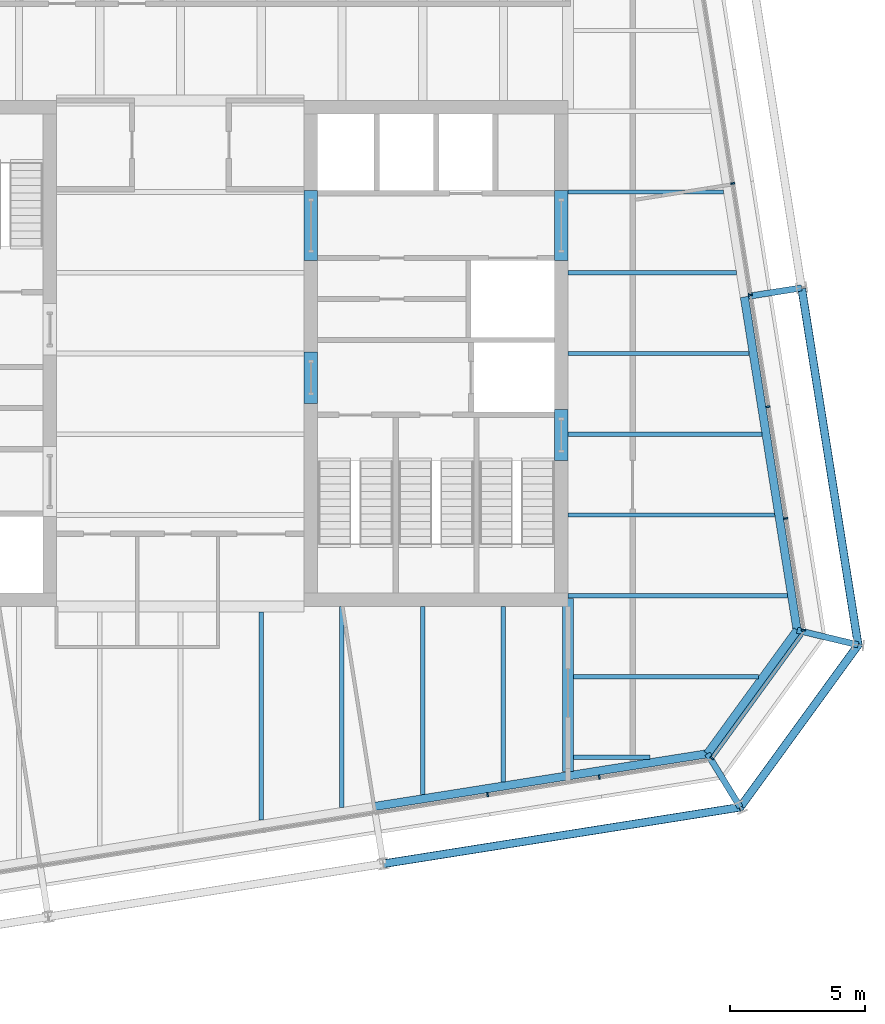
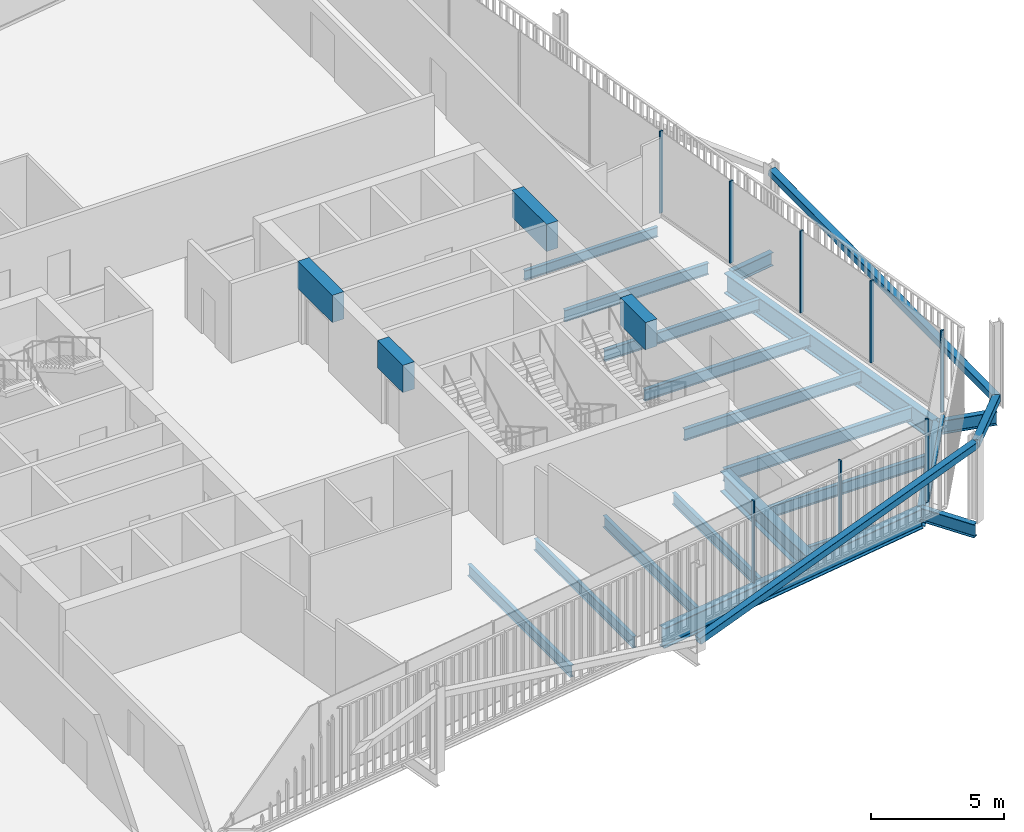
# One storey, part 9 of 21: 23 beams, 12 members, 3 elements without a shape of their own.
"""IFC4 building model written with IfcOpenShell, lengths in metres."""

from ifc_helpers import new_model, si_unit, direction, frame, origin, origin_2d, place, context, subcontext, project, spatial, rectangle, hollow_rectangle, i_section, extrude, material, layer, layer_set, material_profile, profile_set, type_object, element, aggregate, save


model = new_model("IFC4")

# Units and contexts
model_context = context("Model", 3, precision=1e-05, world=origin(), true_north=direction((0.0, 1.0)))
body_context = subcontext(model_context, "Body", "Model", "MODEL_VIEW")
ifc_project = project(units=[si_unit("LENGTHUNIT", "METRE"), si_unit("AREAUNIT", "SQUARE_METRE"), si_unit("VOLUMEUNIT", "CUBIC_METRE"), si_unit("PLANEANGLEUNIT", "RADIAN"), si_unit("MASSUNIT", "GRAM", prefix="KILO")], contexts=[model_context])

# Site, building, storey
site_placement = place(None, origin())
site = spatial("IfcSite", under=ifc_project, at=site_placement, CompositionType="ELEMENT")
building_placement = place(site_placement, origin())
building = spatial("IfcBuilding", under=site, at=building_placement, Name="Millrace Tower", CompositionType="ELEMENT")
storey_placement = place(building_placement, frame((0.0, 0.0, 263.0)))
storey = spatial("IfcBuildingStorey", under=building, at=storey_placement, Name="L60", CompositionType="ELEMENT", Elevation=263.0)

# Curtain wall, members
ifc_material_1 = material(Name="Aluminium and glass", Category="aluminium")
ifc_layer = layer(ifc_material_1, 0.14990234375)
ifc_layer_set = layer_set([ifc_layer], Name="Aluminium and glass")
curtain_wall_type = type_object("IfcCurtainWallType", Name="CW-1 office vision curtain wall", PredefinedType="NOTDEFINED", material=ifc_layer_set)
placement = place(storey_placement, origin())
curtain_wall_1 = element("IfcCurtainWall", 1, at=placement, inside=storey, type_object=curtain_wall_type, Name="Curtain wall D-F02 L60", PredefinedType="NOTDEFINED")
ifc_material_2 = material(Name="Aluminium", Category="aluminium")
ifc_material_profile_1 = material_profile(ifc_material_2, rectangle(XDim=0.06494140625, YDim=0.14990234375, at=origin_2d()))
ifc_profile_set_1 = profile_set([ifc_material_profile_1], Name="Aluminium")
member_type_1 = type_object("IfcMemberType", Name="CW-1 office vision curtain wall mullion", PredefinedType="MULLION", material=ifc_profile_set_1)
member_1_placement = place(storey_placement, frame((11.41259765625, -16.393310546875, 0.139892578125), z_axis=(0.0, 0.0, 1.0), x_axis=(0.987688339511, 0.156434471884, 0.0)))
member_1 = element("IfcMember", 2, at=member_1_placement, type_object=member_type_1, Name="CW1 mullion D-F02.8", PredefinedType="MULLION", context=body_context, shape_type="SweptSolid", body=[
    extrude(rectangle(XDim=0.06494140625, YDim=0.14990234375, at=origin_2d()), origin(), (0.0, 0.0, 1.0), 3.760009765625),
])
member_2_placement = place(storey_placement, frame((15.560791015625, -15.736328125, 0.139892578125), z_axis=(0.0, 0.0, 1.0), x_axis=(0.987688339511, 0.156434471884, 0.0)))
member_2 = element("IfcMember", 3, at=member_2_placement, type_object=member_type_1, Name="CW1 mullion D-F02.9", PredefinedType="MULLION", context=body_context, shape_type="SweptSolid", body=[
    extrude(rectangle(XDim=0.06494140625, YDim=0.14990234375, at=origin_2d()), origin(), (0.0, 0.0, 1.0), 3.760009765625),
])
aggregate(curtain_wall_1, [member_1, member_2])

# Curtain wall, member
curtain_wall_2 = element("IfcCurtainWall", 4, at=placement, inside=storey, type_object=curtain_wall_type, Name="Curtain wall D-F03 L60", PredefinedType="NOTDEFINED")
member_3_placement = place(storey_placement, frame((19.7451171875, -15.028076171875, 0.139892578125), z_axis=(0.0, 0.0, 1.0), x_axis=(0.587785305991, 0.809016955361, 0.0)))
member_3 = element("IfcMember", 5, at=member_3_placement, type_object=member_type_1, Name="CW1 mullion D-F03.1", PredefinedType="MULLION", context=body_context, shape_type="SweptSolid", body=[
    extrude(rectangle(XDim=0.06494140625, YDim=0.14990234375, at=origin_2d()), origin(), (0.0, 0.0, 1.0), 3.760009765625),
])

# Curtain wall, members
curtain_wall_3 = element("IfcCurtainWall", 6, at=placement, inside=storey, type_object=curtain_wall_type, Name="Curtain wall D-F04 L60", PredefinedType="NOTDEFINED")
member_4_placement = place(storey_placement, frame((23.142333984375, -10.275390625, 0.139892578125), z_axis=(0.0, 0.0, 1.0), x_axis=(-0.156434471884, 0.987688339511, 0.0)))
member_4 = element("IfcMember", 7, at=member_4_placement, type_object=member_type_1, Name="CW1 mullion D-F04.1", PredefinedType="MULLION", context=body_context, shape_type="SweptSolid", body=[
    extrude(rectangle(XDim=0.06494140625, YDim=0.14990234375, at=origin_2d()), origin(), (0.0, 0.0, 1.0), 3.760009765625),
])
member_5_placement = place(storey_placement, frame((22.4853515625, -6.127197265625, 0.139892578125), z_axis=(0.0, 0.0, 1.0), x_axis=(-0.156434471884, 0.987688339511, 0.0)))
member_5 = element("IfcMember", 8, at=member_5_placement, type_object=member_type_1, Name="CW1 mullion D-F04.2", PredefinedType="MULLION", context=body_context, shape_type="SweptSolid", body=[
    extrude(rectangle(XDim=0.06494140625, YDim=0.14990234375, at=origin_2d()), origin(), (0.0, 0.0, 1.0), 3.760009765625),
])
member_6_placement = place(storey_placement, frame((21.828369140625, -1.97900390625, 0.139892578125), z_axis=(0.0, 0.0, 1.0), x_axis=(-0.156434471884, 0.987688339511, 0.0)))
member_6 = element("IfcMember", 9, at=member_6_placement, type_object=member_type_1, Name="CW1 mullion D-F04.3", PredefinedType="MULLION", context=body_context, shape_type="SweptSolid", body=[
    extrude(rectangle(XDim=0.06494140625, YDim=0.14990234375, at=origin_2d()), origin(), (0.0, 0.0, 1.0), 3.760009765625),
])
member_7_placement = place(storey_placement, frame((21.17138671875, 2.16943359375, 0.139892578125), z_axis=(0.0, 0.0, 1.0), x_axis=(-0.156434471884, 0.987688339511, 0.0)))
member_7 = element("IfcMember", 10, at=member_7_placement, type_object=member_type_1, Name="CW1 mullion D-F04.4", PredefinedType="MULLION", context=body_context, shape_type="SweptSolid", body=[
    extrude(rectangle(XDim=0.06494140625, YDim=0.14990234375, at=origin_2d()), origin(), (0.0, 0.0, 1.0), 3.760009765625),
])
member_8_placement = place(storey_placement, frame((20.514404296875, 6.317626953125, 0.139892578125), z_axis=(0.0, 0.0, 1.0), x_axis=(-0.156434471884, 0.987688339511, 0.0)))
member_8 = element("IfcMember", 11, at=member_8_placement, type_object=member_type_1, Name="CW1 mullion D-F04.5", PredefinedType="MULLION", context=body_context, shape_type="SweptSolid", body=[
    extrude(rectangle(XDim=0.06494140625, YDim=0.14990234375, at=origin_2d()), origin(), (0.0, 0.0, 1.0), 3.760009765625),
])
aggregate(curtain_wall_3, [member_4, member_5, member_6, member_7, member_8])

# Member
ifc_material_3 = material(Name="Aluminium", Category="aluminium")
ifc_material_profile_2 = material_profile(ifc_material_3, rectangle(XDim=0.14990234375, YDim=0.139892578125, at=origin_2d()))
ifc_profile_set_2 = profile_set([ifc_material_profile_2], Name="Aluminium")
member_type_2 = type_object("IfcMemberType", Name="CW-1 office vision curtain wall transom", PredefinedType="USERDEFINED", material=ifc_profile_set_2)
member_9_placement = place(storey_placement, frame((19.78466796875, -14.973388671875, 0.070068359375), z_axis=(0.587811213399, 0.808998131891, 0.0), x_axis=(-0.808998131891, 0.587811213399, 0.0)))
member_9 = element("IfcMember", 12, at=member_9_placement, type_object=member_type_2, Name="CW1 transom D-F03.1", ObjectType="TRANSOM", PredefinedType="USERDEFINED", context=body_context, shape_type="SweptSolid", body=[
    extrude(rectangle(XDim=0.14990234375, YDim=0.139892578125, at=origin_2d()), origin(), (0.0, 0.0, 1.0), 5.598388671875),
])

aggregate(curtain_wall_2, [member_3, member_9])

# Beams
ifc_material_4 = material(Name="Concrete C60", Category="concrete")
ifc_material_profile_3 = material_profile(ifc_material_4, rectangle(XDim=0.5, YDim=1.25, at=origin_2d()))
ifc_profile_set_3 = profile_set([ifc_material_profile_3], Name="Concrete C60")
beam_type_1 = type_object("IfcBeamType", Name="Coupling beam 500 x 1250 Concrete C60, 1300 opening", PredefinedType="BEAM", material=ifc_profile_set_3)
beam_1_placement = place(storey_placement, frame((14.14990234375, -2.080078125, 3.02490234375), z_axis=(0.0, -1.0, 0.0), x_axis=(1.0, 0.0, 0.0)))
element("IfcBeam", 13, at=beam_1_placement, inside=storey, type_object=beam_type_1, Name="Coupling beam E L60", PredefinedType="BEAM", context=body_context, shape_type="SweptSolid", body=[
    extrude(rectangle(XDim=0.5, YDim=1.25, at=origin_2d()), origin(), (0.0, 0.0, 1.0), 1.89990234375),
])
beam_2_placement = place(storey_placement, frame((4.85009765625, 0.050048828125, 3.02490234375), z_axis=(0.0, -1.0, 0.0), x_axis=(1.0, 0.0, 0.0)))
element("IfcBeam", 14, at=beam_2_placement, inside=storey, type_object=beam_type_1, Name="Coupling beam E L60", PredefinedType="BEAM", context=body_context, shape_type="SweptSolid", body=[
    extrude(rectangle(XDim=0.5, YDim=1.25, at=origin_2d()), origin(), (0.0, 0.0, 1.0), 1.900146484375),
])
ifc_material_5 = material(Name="Concrete C60", Category="concrete")
ifc_material_profile_4 = material_profile(ifc_material_5, rectangle(XDim=0.5, YDim=1.25, at=origin_2d()))
ifc_profile_set_4 = profile_set([ifc_material_profile_4], Name="Concrete C60")
beam_type_2 = type_object("IfcBeamType", Name="Coupling beam 500 x 1250 Concrete C60, 2000 opening", PredefinedType="BEAM", material=ifc_profile_set_4)
for number, where, z_axis, x_axis, name in (
    (15, (14.14990234375, 6.050048828125, 3.02490234375), (0.0, -1.0, 0.0), (1.0, 0.0, 0.0), "Coupling beam E L60"),
    (16, (4.85009765625, 6.050048828125, 3.02490234375), (0.0, -1.0, 0.0), (1.0, 0.0, 0.0), "Coupling beam E L60"),
):
    element("IfcBeam", number, at=place(storey_placement, frame(where, z_axis=z_axis, x_axis=x_axis)), inside=storey, type_object=beam_type_2, Name=name, PredefinedType="BEAM", context=body_context, shape_type="SweptSolid", body=[
        extrude(rectangle(XDim=0.5, YDim=1.25, at=origin_2d()), origin(), (0.0, 0.0, 1.0), 2.60009765625),
    ])

# Members
ifc_material_6 = material(Name="Steel ASTM A500 Grade C", Category="steel")
ifc_material_profile_5 = material_profile(ifc_material_6, hollow_rectangle(XDim=0.3046875, YDim=0.3046875, WallThickness=0.009521484375, InnerFilletRadius=0.004638671875, OuterFilletRadius=0.014404296875, at=origin_2d()))
ifc_profile_set_5 = profile_set([ifc_material_profile_5], Name="Steel ASTM A500 Grade C")
member_type_3 = type_object("IfcMemberType", Name="Exoskeleton brace HSS12x12x3/8", PredefinedType="BRACE", material=ifc_profile_set_5)
member_10_placement = place(storey_placement, frame((7.533203125, -18.956787109375, 0.39990234375), z_axis=(0.962374234363, 0.152435855515, 0.224942532635), x_axis=(-0.156445228811, 0.987686635721, 0.0)))
element("IfcMember", 17, at=member_10_placement, inside=storey, type_object=member_type_3, Name="BRC-D-L60-04", PredefinedType="BRACE", context=body_context, shape_type="SweptSolid", body=[
    extrude(hollow_rectangle(XDim=0.3046875, YDim=0.3046875, WallThickness=0.009521484375, InnerFilletRadius=0.004638671875, OuterFilletRadius=0.014404296875, at=origin_2d()), origin(), (0.0, 0.0, 1.0), 13.78173828125),
])
member_11_placement = place(storey_placement, frame((25.178466796875, -10.82470703125, 0.39990234375), z_axis=(-0.542740784085, -0.746998068418, 0.38396136143), x_axis=(0.809009310944, -0.587795827483, 0.0)))
element("IfcMember", 18, at=member_11_placement, inside=storey, type_object=member_type_3, Name="BRC-D-L60-05", PredefinedType="BRACE", context=body_context, shape_type="SweptSolid", body=[
    extrude(hollow_rectangle(XDim=0.3046875, YDim=0.3046875, WallThickness=0.009521484375, InnerFilletRadius=0.004638671875, OuterFilletRadius=0.014404296875, at=origin_2d()), origin(), (0.0, 0.0, 1.0), 8.073974609375),
])
member_12_placement = place(storey_placement, frame((25.178466796875, -10.82470703125, 0.39990234375), z_axis=(-0.152435855515, 0.962374234363, 0.224942532635), x_axis=(-0.987686635721, -0.156445228811, 0.0)))
element("IfcMember", 19, at=member_12_placement, inside=storey, type_object=member_type_3, Name="BRC-D-L60-06", PredefinedType="BRACE", context=body_context, shape_type="SweptSolid", body=[
    extrude(hollow_rectangle(XDim=0.3046875, YDim=0.3046875, WallThickness=0.009521484375, InnerFilletRadius=0.004638671875, OuterFilletRadius=0.014404296875, at=origin_2d()), origin(), (0.0, 0.0, 1.0), 13.78173828125),
])

# Beams
ifc_material_7 = material(Name="Steel ASTM A992 Grade 50", Category="steel")
ifc_material_profile_6 = material_profile(ifc_material_7, i_section(OverallWidth=0.15234375, OverallDepth=0.449462890625, WebThickness=0.007568359375, FlangeThickness=0.0107421875, FilletRadius=0.01025390625, at=origin_2d()))
ifc_profile_set_6 = profile_set([ifc_material_profile_6], Name="Steel ASTM A992 Grade 50")
beam_type_3 = type_object("IfcBeamType", Name="Floor beam W18x35", PredefinedType="JOIST", material=ifc_profile_set_6)
beam_3_placement = place(storey_placement, frame((14.39990234375, 6.0, -0.384765625), z_axis=(1.0, 0.0, 0.0), x_axis=(0.0, 1.0, 0.0)))
element("IfcBeam", 20, at=beam_3_placement, inside=storey, type_object=beam_type_3, Name="BM-D-L60-S1-S022", PredefinedType="JOIST", context=body_context, shape_type="SweptSolid", body=[
    extrude(i_section(OverallWidth=0.15234375, OverallDepth=0.449462890625, WebThickness=0.007568359375, FlangeThickness=0.0107421875, FilletRadius=0.01025390625, at=origin_2d()), origin(), (0.0, 0.0, 1.0), 5.777587890625),
])
beam_4_placement = place(storey_placement, frame((14.609619140625, -15.0, -0.384765625), z_axis=(1.0, 0.0, 0.0), x_axis=(0.0, 1.0, 0.0)))
element("IfcBeam", 21, at=beam_4_placement, inside=storey, type_object=beam_type_3, Name="BM-D-L60-S1-S003", PredefinedType="JOIST", context=body_context, shape_type="SweptSolid", body=[
    extrude(i_section(OverallWidth=0.15234375, OverallDepth=0.449462890625, WebThickness=0.007568359375, FlangeThickness=0.0107421875, FilletRadius=0.01025390625, at=origin_2d()), origin(), (0.0, 0.0, 1.0), 2.839599609375),
])
ifc_material_8 = material(Name="Steel ASTM A992 Grade 50", Category="steel")
ifc_material_profile_7 = material_profile(ifc_material_8, i_section(OverallWidth=0.1650390625, OverallDepth=0.52587890625, WebThickness=0.0087890625, FlangeThickness=0.011474609375, FilletRadius=0.0126953125, at=origin_2d()))
ifc_profile_set_7 = profile_set([ifc_material_profile_7], Name="Steel ASTM A992 Grade 50")
beam_type_4 = type_object("IfcBeamType", Name="Floor beam W21x44", PredefinedType="JOIST", material=ifc_profile_set_7)
beam_5_placement = place(storey_placement, frame((14.609619140625, -12.0, -0.4228515625), z_axis=(1.0, 0.0, 0.0), x_axis=(0.0, 1.0, 0.0)))
element("IfcBeam", 22, at=beam_5_placement, inside=storey, type_object=beam_type_4, Name="BM-D-L60-S1-S005", PredefinedType="JOIST", context=body_context, shape_type="SweptSolid", body=[
    extrude(i_section(OverallWidth=0.1650390625, OverallDepth=0.52587890625, WebThickness=0.0087890625, FlangeThickness=0.011474609375, FilletRadius=0.0126953125, at=origin_2d()), origin(), (0.0, 0.0, 1.0), 6.86279296875),
])
beam_6_placement = place(storey_placement, frame((14.39990234375, -6.0, -0.4228515625), z_axis=(1.0, 0.0, 0.0), x_axis=(0.0, 1.0, 0.0)))
element("IfcBeam", 23, at=beam_6_placement, inside=storey, type_object=beam_type_4, Name="BM-D-L60-S1-S010", PredefinedType="JOIST", context=body_context, shape_type="SweptSolid", body=[
    extrude(i_section(OverallWidth=0.1650390625, OverallDepth=0.52587890625, WebThickness=0.0087890625, FlangeThickness=0.011474609375, FilletRadius=0.0126953125, at=origin_2d()), origin(), (0.0, 0.0, 1.0), 7.67822265625),
])
beam_7_placement = place(storey_placement, frame((14.39990234375, -3.0, -0.4228515625), z_axis=(1.0, 0.0, 0.0), x_axis=(0.0, 1.0, 0.0)))
element("IfcBeam", 24, at=beam_7_placement, inside=storey, type_object=beam_type_4, Name="BM-D-L60-S1-S013", PredefinedType="JOIST", context=body_context, shape_type="SweptSolid", body=[
    extrude(i_section(OverallWidth=0.1650390625, OverallDepth=0.52587890625, WebThickness=0.0087890625, FlangeThickness=0.011474609375, FilletRadius=0.0126953125, at=origin_2d()), origin(), (0.0, 0.0, 1.0), 7.203125),
])
beam_8_placement = place(storey_placement, frame((14.39990234375, 0.0, -0.4228515625), z_axis=(1.0, 0.0, 0.0), x_axis=(0.0, 1.0, 0.0)))
element("IfcBeam", 25, at=beam_8_placement, inside=storey, type_object=beam_type_4, Name="BM-D-L60-S1-S016", PredefinedType="JOIST", context=body_context, shape_type="SweptSolid", body=[
    extrude(i_section(OverallWidth=0.1650390625, OverallDepth=0.52587890625, WebThickness=0.0087890625, FlangeThickness=0.011474609375, FilletRadius=0.0126953125, at=origin_2d()), origin(), (0.0, 0.0, 1.0), 6.72802734375),
])
beam_9_placement = place(storey_placement, frame((14.39990234375, 3.0, -0.4228515625), z_axis=(1.0, 0.0, 0.0), x_axis=(0.0, 1.0, 0.0)))
element("IfcBeam", 26, at=beam_9_placement, inside=storey, type_object=beam_type_4, Name="BM-D-L60-S1-S019", PredefinedType="JOIST", context=body_context, shape_type="SweptSolid", body=[
    extrude(i_section(OverallWidth=0.1650390625, OverallDepth=0.52587890625, WebThickness=0.0087890625, FlangeThickness=0.011474609375, FilletRadius=0.0126953125, at=origin_2d()), origin(), (0.0, 0.0, 1.0), 6.252685546875),
])
beam_10_placement = place(storey_placement, frame((3.0, -17.338623046875, -0.4228515625), z_axis=(0.0, 1.0, 0.0), x_axis=(-1.0, 0.0, 0.0)))
element("IfcBeam", 27, at=beam_10_placement, inside=storey, type_object=beam_type_4, Name="BM-D-L60-S1-S047", PredefinedType="JOIST", context=body_context, shape_type="SweptSolid", body=[
    extrude(i_section(OverallWidth=0.1650390625, OverallDepth=0.52587890625, WebThickness=0.0087890625, FlangeThickness=0.011474609375, FilletRadius=0.0126953125, at=origin_2d()), origin(), (0.0, 0.0, 1.0), 7.72900390625),
])
beam_11_placement = place(storey_placement, frame((6.0, -16.863525390625, -0.4228515625), z_axis=(0.0, 1.0, 0.0), x_axis=(-1.0, 0.0, 0.0)))
element("IfcBeam", 28, at=beam_11_placement, inside=storey, type_object=beam_type_4, Name="BM-D-L60-S1-S049", PredefinedType="JOIST", context=body_context, shape_type="SweptSolid", body=[
    extrude(i_section(OverallWidth=0.1650390625, OverallDepth=0.52587890625, WebThickness=0.0087890625, FlangeThickness=0.011474609375, FilletRadius=0.0126953125, at=origin_2d()), origin(), (0.0, 0.0, 1.0), 7.463623046875),
])
beam_12_placement = place(storey_placement, frame((9.0, -16.38818359375, -0.4228515625), z_axis=(0.0, 1.0, 0.0), x_axis=(-1.0, 0.0, 0.0)))
element("IfcBeam", 29, at=beam_12_placement, inside=storey, type_object=beam_type_4, Name="BM-D-L60-S1-S051", PredefinedType="JOIST", context=body_context, shape_type="SweptSolid", body=[
    extrude(i_section(OverallWidth=0.1650390625, OverallDepth=0.52587890625, WebThickness=0.0087890625, FlangeThickness=0.011474609375, FilletRadius=0.0126953125, at=origin_2d()), origin(), (0.0, 0.0, 1.0), 6.98828125),
])
beam_13_placement = place(storey_placement, frame((12.0, -15.9130859375, -0.4228515625), z_axis=(0.0, 1.0, 0.0), x_axis=(-1.0, 0.0, 0.0)))
element("IfcBeam", 30, at=beam_13_placement, inside=storey, type_object=beam_type_4, Name="BM-D-L60-S1-S053", PredefinedType="JOIST", context=body_context, shape_type="SweptSolid", body=[
    extrude(i_section(OverallWidth=0.1650390625, OverallDepth=0.52587890625, WebThickness=0.0087890625, FlangeThickness=0.011474609375, FilletRadius=0.0126953125, at=origin_2d()), origin(), (0.0, 0.0, 1.0), 6.51318359375),
])
ifc_material_9 = material(Name="Steel ASTM A992 Grade 50", Category="steel")
ifc_material_profile_8 = material_profile(ifc_material_9, i_section(OverallWidth=0.177978515625, OverallDepth=0.599365234375, WebThickness=0.010009765625, FlangeThickness=0.012939453125, FilletRadius=0.012939453125, at=origin_2d()))
ifc_profile_set_8 = profile_set([ifc_material_profile_8], Name="Steel ASTM A992 Grade 50")
beam_type_5 = type_object("IfcBeamType", Name="Floor beam W24x55", PredefinedType="JOIST", material=ifc_profile_set_8)
beam_14_placement = place(storey_placement, frame((14.39990234375, -9.0, -0.459716796875), z_axis=(1.0, 0.0, 0.0), x_axis=(0.0, 1.0, 0.0)))
element("IfcBeam", 31, at=beam_14_placement, inside=storey, type_object=beam_type_5, Name="BM-D-L60-S1-S007", PredefinedType="JOIST", context=body_context, shape_type="SweptSolid", body=[
    extrude(i_section(OverallWidth=0.177978515625, OverallDepth=0.599365234375, WebThickness=0.010009765625, FlangeThickness=0.012939453125, FilletRadius=0.012939453125, at=origin_2d()), origin(), (0.0, 0.0, 1.0), 8.1533203125),
])
ifc_material_10 = material(Name="Steel ASTM A992 Grade 50", Category="steel")
ifc_material_profile_9 = material_profile(ifc_material_10, i_section(OverallWidth=0.419189453125, OverallDepth=0.927001953125, WebThickness=0.019287109375, FlangeThickness=0.031982421875, FilletRadius=0.024169921875, at=origin_2d()))
ifc_profile_set_9 = profile_set([ifc_material_profile_9], Name="Steel ASTM A992 Grade 50")
beam_type_6 = type_object("IfcBeamType", Name="Girder short span W36x231", PredefinedType="BEAM", material=ifc_profile_set_9)
beam_15_placement = place(storey_placement, frame((14.39990234375, -15.52490234375, -0.62353515625), z_axis=(0.0, 1.0, 0.0), x_axis=(-1.0, 0.0, 0.0)))
element("IfcBeam", 32, at=beam_15_placement, inside=storey, type_object=beam_type_6, Name="BM-D-L60-S1-G057", PredefinedType="BEAM", context=body_context, shape_type="SweptSolid", body=[
    extrude(i_section(OverallWidth=0.419189453125, OverallDepth=0.927001953125, WebThickness=0.019287109375, FlangeThickness=0.031982421875, FilletRadius=0.024169921875, at=origin_2d()), origin(), (0.0, 0.0, 1.0), 6.432861328125),
])
ifc_material_11 = material(Name="Steel ASTM A992 Grade 50", Category="steel")
ifc_material_profile_10 = material_profile(ifc_material_11, i_section(OverallWidth=0.23046875, OverallDepth=0.6171875, WebThickness=0.01318359375, FlangeThickness=0.022216796875, FilletRadius=0.012939453125, at=origin_2d()))
ifc_profile_set_10 = profile_set([ifc_material_profile_10], Name="Steel ASTM A992 Grade 50")
beam_type_7 = type_object("IfcBeamType", Name="Link beam W24x94", PredefinedType="BEAM", material=ifc_profile_set_10)
beam_16_placement = place(storey_placement, frame((21.102294921875, 2.12548828125, -0.468505859375), z_axis=(0.987678691416, 0.156495375404, 0.0), x_axis=(-0.156495375404, 0.987678691416, 0.0)))
element("IfcBeam", 33, at=beam_16_placement, inside=storey, type_object=beam_type_7, Name="LNK-D-L60-S1-11", PredefinedType="BEAM", context=body_context, shape_type="SweptSolid", body=[
    extrude(i_section(OverallWidth=0.23046875, OverallDepth=0.6171875, WebThickness=0.01318359375, FlangeThickness=0.022216796875, FilletRadius=0.012939453125, at=origin_2d()), origin(), (0.0, 0.0, 1.0), 2.0),
])
beam_17_placement = place(storey_placement, frame((22.91162109375, -10.280517578125, -0.468505859375), z_axis=(0.972373041068, -0.233432364948, 0.0), x_axis=(0.233432364948, 0.972373041068, 0.0)))
element("IfcBeam", 34, at=beam_17_placement, inside=storey, type_object=beam_type_7, Name="LNK-D-L60-S1-12", PredefinedType="BEAM", context=body_context, shape_type="SweptSolid", body=[
    extrude(i_section(OverallWidth=0.23046875, OverallDepth=0.6171875, WebThickness=0.01318359375, FlangeThickness=0.022216796875, FilletRadius=0.012939453125, at=origin_2d()), origin(), (0.0, 0.0, 1.0), 2.331298828125),
])
beam_18_placement = place(storey_placement, frame((19.578369140625, -14.868408203125, -0.468505859375), z_axis=(0.522512938711, -0.852631355792, 0.0), x_axis=(0.852631355792, 0.522512938711, 0.0)))
element("IfcBeam", 35, at=beam_18_placement, inside=storey, type_object=beam_type_7, Name="LNK-D-L60-S1-13", PredefinedType="BEAM", context=body_context, shape_type="SweptSolid", body=[
    extrude(i_section(OverallWidth=0.23046875, OverallDepth=0.6171875, WebThickness=0.01318359375, FlangeThickness=0.022216796875, FilletRadius=0.012939453125, at=origin_2d()), origin(), (0.0, 0.0, 1.0), 2.3310546875),
])
ifc_material_12 = material(Name="Steel ASTM A992 Grade 50", Category="steel")
ifc_material_profile_11 = material_profile(ifc_material_12, i_section(OverallWidth=0.307373046875, OverallDepth=0.927001953125, WebThickness=0.01953125, FlangeThickness=0.031982421875, FilletRadius=0.01904296875, at=origin_2d()))
ifc_profile_set_11 = profile_set([ifc_material_profile_11], Name="Steel ASTM A992 Grade 50")
beam_type_8 = type_object("IfcBeamType", Name="Ring beam medium span W36x194", PredefinedType="SPANDREL", material=ifc_profile_set_11)
for number, where, z_axis, x_axis, name in (
    (36, (20.95068359375, 2.1015625, -0.62353515625), (0.156419577072, -0.987690698503, 0.0), (0.987690698503, 0.156419577072, 0.0), "RNG-D-L60-S1-11"),
    (37, (19.578369140625, -14.868408203125, -0.62353515625), (-0.987687689625, -0.156438575049, 0.0), (0.156438575049, -0.987687689625, 0.0), "RNG-D-L60-S1-13"),
):
    element("IfcBeam", number, at=place(storey_placement, frame(where, z_axis=z_axis, x_axis=x_axis)), inside=storey, type_object=beam_type_8, Name=name, PredefinedType="SPANDREL", context=body_context, shape_type="SweptSolid", body=[
        extrude(i_section(OverallWidth=0.307373046875, OverallDepth=0.927001953125, WebThickness=0.01953125, FlangeThickness=0.031982421875, FilletRadius=0.01904296875, at=origin_2d()), origin(), (0.0, 0.0, 1.0), 12.536376953125),
    ])
ifc_material_13 = material(Name="Steel ASTM A992 Grade 50", Category="steel")
ifc_material_profile_12 = material_profile(ifc_material_13, i_section(OverallWidth=0.307373046875, OverallDepth=0.927001953125, WebThickness=0.01953125, FlangeThickness=0.031982421875, FilletRadius=0.01904296875, at=origin_2d()))
ifc_profile_set_12 = profile_set([ifc_material_profile_12], Name="Steel ASTM A992 Grade 50")
beam_type_9 = type_object("IfcBeamType", Name="Ring beam short span W36x194", PredefinedType="SPANDREL", material=ifc_profile_set_12)
beam_19_placement = place(storey_placement, frame((22.91162109375, -10.280517578125, -0.62353515625), z_axis=(-0.587779977844, -0.80902082646, 0.0), x_axis=(0.80902082646, -0.587779977844, 0.0)))
element("IfcBeam", 38, at=beam_19_placement, inside=storey, type_object=beam_type_9, Name="RNG-D-L60-S1-12", PredefinedType="SPANDREL", context=body_context, shape_type="SweptSolid", body=[
    extrude(i_section(OverallWidth=0.307373046875, OverallDepth=0.927001953125, WebThickness=0.01953125, FlangeThickness=0.031982421875, FilletRadius=0.01904296875, at=origin_2d()), origin(), (0.0, 0.0, 1.0), 5.6708984375),
])

save(model, "model.ifc")
